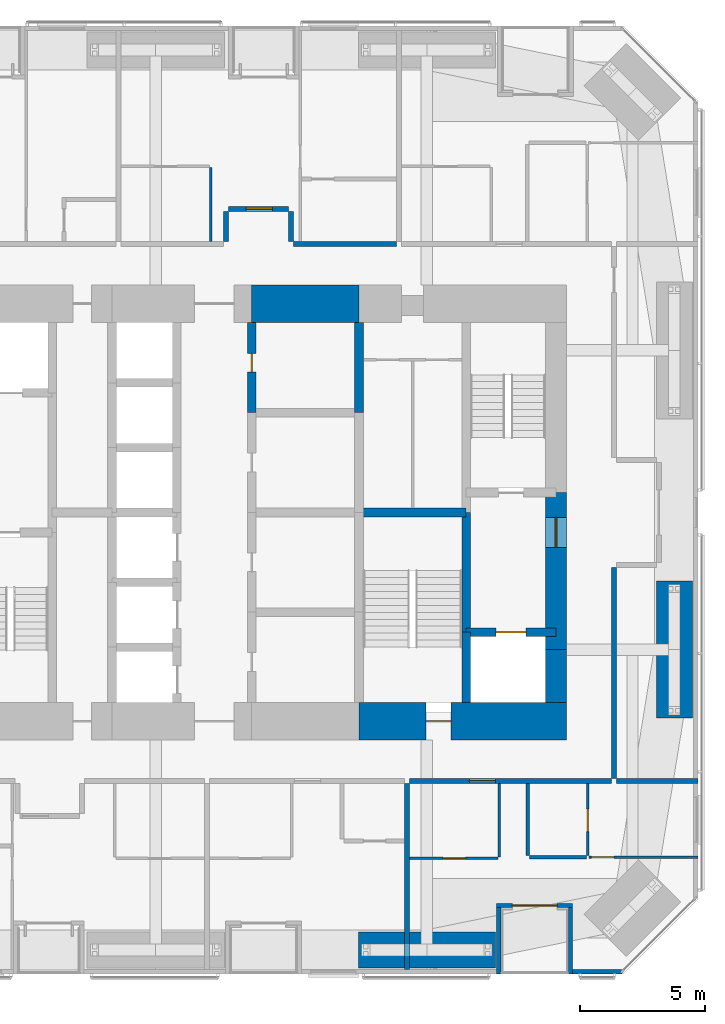
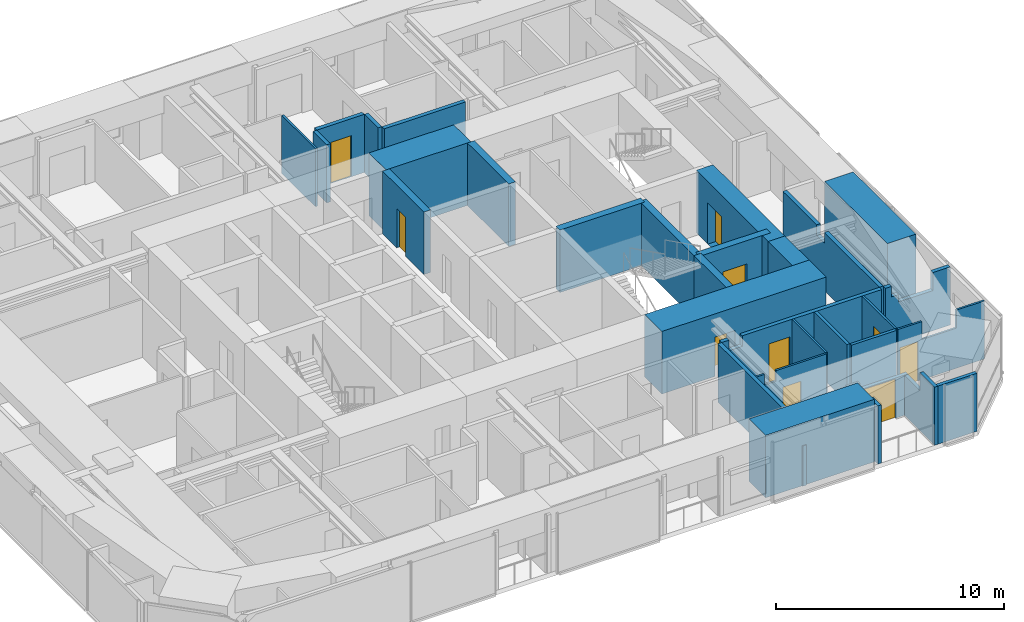
# One storey, part 20 of 24: 32 walls, 10 doors, 10 openings.
"""IFC4 building model written with IfcOpenShell, lengths in metres."""

from ifc_helpers import new_model, si_unit, direction, frame, frame_2d, origin, place, context, subcontext, project, spatial, polyline, rectangle, outline, extrude, material, layer, layer_set, constituent, constituent_set, type_object, element, fill, save


model = new_model("IFC4")

# Units and contexts
model_context = context("Model", 3, precision=1e-05, world=origin(), true_north=direction((0.0, 1.0)))
body_context = subcontext(model_context, "Body", "Model", "MODEL_VIEW")
ifc_project = project(units=[si_unit("LENGTHUNIT", "METRE"), si_unit("AREAUNIT", "SQUARE_METRE"), si_unit("VOLUMEUNIT", "CUBIC_METRE"), si_unit("PLANEANGLEUNIT", "RADIAN"), si_unit("MASSUNIT", "GRAM", prefix="KILO")], contexts=[model_context])

# Site, building, storey
site_placement = place(None, origin())
site = spatial("IfcSite", under=ifc_project, at=site_placement, CompositionType="ELEMENT")
building_placement = place(site_placement, origin())
building = spatial("IfcBuilding", under=site, at=building_placement, Name="Jalousie Tower", CompositionType="ELEMENT")
storey_placement = place(building_placement, frame((0.0, 0.0, 91.449951171875)))
storey = spatial("IfcBuildingStorey", under=building, at=storey_placement, Name="L24", CompositionType="ELEMENT", Elevation=91.449951171875)

# Walls
ifc_material_1 = material(Name="Concrete block ASTM C90", Category="concrete")
ifc_constituent_1 = constituent(ifc_material_1, Name="Body")
ifc_material_2 = material(Name="Render")
ifc_constituent_2 = constituent(ifc_material_2, Name="Finish")
ifc_constituent_set_1 = constituent_set(constituents=[ifc_constituent_1, ifc_constituent_2])
wall_type_1 = type_object("IfcWallType", Name="BATHROOM WALL 150", PredefinedType="PLUMBINGWALL", material=ifc_constituent_set_1)
wall_1_placement = place(storey_placement, frame((42.75, 4.67578125, 0.0), z_axis=(0.0, 0.0, 1.0), x_axis=(1.0, 0.0, 0.0)))
element("IfcWall", 1, at=wall_1_placement, inside=storey, type_object=wall_type_1, Name="Bathroom Wall 150 L24", PredefinedType="PLUMBINGWALL", context=body_context, shape_type="SweptSolid", body=[
    extrude(rectangle(XDim=2.27490234375, YDim=0.14990234375, at=frame_2d((1.137451171875, 0.0))), origin(), (0.0, 0.0, 1.0), 3.110107421875),
])
wall_2_placement = place(storey_placement, frame((42.675048828125, 4.7509765625, 0.0), z_axis=(0.0, 0.0, 1.0), x_axis=(0.0, 1.0, 0.0)))
element("IfcWall", 2, at=wall_2_placement, inside=storey, type_object=wall_type_1, Name="Bathroom Wall 150 L24", PredefinedType="PLUMBINGWALL", context=body_context, shape_type="SweptSolid", body=[
    extrude(rectangle(XDim=2.8740234375, YDim=0.14990234375, at=frame_2d((1.43701171875, 0.0))), origin(), (0.0, 0.0, 1.0), 3.110107421875),
])

# Wall, opening, door
ifc_material_3 = material(Name="Concrete f'c 120 MPa", Category="concrete")
ifc_layer_1 = layer(ifc_material_3, 1.5)
ifc_layer_set_1 = layer_set([ifc_layer_1], Name="Concrete f'c 120 MPa")
wall_type_2 = type_object("IfcWallType", Name="CORE WALL 1500", PredefinedType="SHEAR", material=ifc_layer_set_1)
wall_3_placement = place(storey_placement, frame((35.89990234375, 10.125, 0.0), z_axis=(0.0, 0.0, 1.0), x_axis=(1.0, 0.0, 0.0)))
wall_3 = element("IfcWall", 3, at=wall_3_placement, inside=storey, type_object=wall_type_2, Name="Core wall SD L24", PredefinedType="SHEAR", context=body_context, shape_type="SweptSolid", body=[
    extrude(rectangle(XDim=8.3251953125, YDim=1.5, at=frame_2d((4.16259765625, 0.0))), origin(), (0.0, 0.0, 1.0), 3.35009765625),
])
opening_1_placement = place(wall_3_placement, frame((2.699951171875, 0.0, 0.0)))
opening_1 = element("IfcOpeningElement", 4, at=opening_1_placement, cuts=wall_3, Name="Opening D10", PredefinedType="OPENING", context=body_context, shape_type="SweptSolid", body=[
    extrude(rectangle(XDim=1.0, YDim=2.10009765625, at=frame_2d((0.5, 1.050048828125))), frame((0.0, 0.760009765625, 0.0), z_axis=(0.0, -1.0, 0.0), x_axis=(1.0, 0.0, 0.0)), (0.0, 0.0, 1.0), 1.52001953125),
])
ifc_material_4 = material(Name="Steel fire door", Category="steel")
door_type_1 = type_object("IfcDoorType", Name="STAIR DOOR 1000", OperationType="SINGLE_SWING_LEFT", PredefinedType="DOOR", material=ifc_material_4)
door_1_placement = place(opening_1_placement, origin())
door_1 = element("IfcDoor", 5, at=door_1_placement, inside=storey, type_object=door_type_1, Name="Exit stair C door", OperationType="SINGLE_SWING_RIGHT", OverallHeight=2.10009765625, OverallWidth=1.0, PredefinedType="DOOR", context=body_context, shape_type="SweptSolid", body=[
    extrude(rectangle(XDim=1.0, YDim=2.10009765625, at=frame_2d((0.5, 1.050048828125))), frame((0.0, 0.02490234375, 0.0), z_axis=(0.0, -1.0, 0.0), x_axis=(1.0, 0.0, 0.0)), (0.0, 0.0, 1.0), 0.050048828125),
])
fill(opening_1, door_1)

# Wall
wall_4_placement = place(storey_placement, frame((35.89990234375, 26.875, 0.0), z_axis=(0.0, 0.0, 1.0), x_axis=(-1.0, 0.0, 0.0)))
element("IfcWall", 6, at=wall_4_placement, inside=storey, type_object=wall_type_2, Name="Core wall NB L24", PredefinedType="SHEAR", context=body_context, shape_type="SweptSolid", body=[
    extrude(rectangle(XDim=4.2998046875, YDim=1.5, at=frame_2d((2.14990234375, 0.0))), origin(), (0.0, 0.0, 1.0), 3.35009765625),
])

# Wall, opening, door
ifc_material_5 = material(Name="Concrete f'c 120 MPa", Category="concrete")
ifc_layer_2 = layer(ifc_material_5, 0.35009765625)
ifc_layer_set_2 = layer_set([ifc_layer_2], Name="Concrete f'c 120 MPa")
wall_type_3 = type_object("IfcWallType", Name="CORE WALL 350", PredefinedType="SHEAR", material=ifc_layer_set_2)
wall_5_placement = place(storey_placement, frame((31.60009765625, 22.5, 0.0), z_axis=(0.0, 0.0, 1.0), x_axis=(0.0, 1.0, 0.0)))
wall_5 = element("IfcWall", 7, at=wall_5_placement, inside=storey, type_object=wall_type_3, Name="Core wall X31.6D L24", PredefinedType="SHEAR", context=body_context, shape_type="SweptSolid", body=[
    extrude(rectangle(XDim=3.625, YDim=0.35009765625, at=frame_2d((1.8125, 0.0))), origin(), (0.0, 0.0, 1.0), 3.35009765625),
])
opening_2_placement = place(wall_5_placement, frame((1.625, 0.0, 0.0)))
opening_2 = element("IfcOpeningElement", 8, at=opening_2_placement, cuts=wall_5, Name="Opening D16", PredefinedType="OPENING", context=body_context, shape_type="SweptSolid", body=[
    extrude(rectangle(XDim=0.75, YDim=2.10009765625, at=frame_2d((0.375, 1.050048828125))), frame((0.0, 0.18505859375, 0.0), z_axis=(0.0, -1.0, 0.0), x_axis=(1.0, 0.0, 0.0)), (0.0, 0.0, 1.0), 0.3701171875),
])
ifc_material_6 = material(Name="Steel fire door", Category="steel")
door_type_2 = type_object("IfcDoorType", Name="RISER DOOR 750", OperationType="SINGLE_SWING_LEFT", PredefinedType="DOOR", material=ifc_material_6)
door_2_placement = place(opening_2_placement, frame((0.75, 0.0, 0.0), z_axis=(0.0, 0.0, 1.0), x_axis=(-1.0, 0.0, 0.0)))
door_2 = element("IfcDoor", 9, at=door_2_placement, inside=storey, type_object=door_type_2, Name="Water Services Room door", OperationType="SINGLE_SWING_LEFT", OverallHeight=2.10009765625, OverallWidth=0.75, PredefinedType="DOOR", context=body_context, shape_type="SweptSolid", body=[
    extrude(rectangle(XDim=0.75, YDim=2.10009765625, at=frame_2d((0.375, 1.050048828125))), frame((0.0, 0.02490234375, 0.0), z_axis=(0.0, -1.0, 0.0), x_axis=(1.0, 0.0, 0.0)), (0.0, 0.0, 1.0), 0.050048828125),
])
fill(opening_2, door_2)

# Walls
wall_6_placement = place(storey_placement, frame((35.89990234375, 22.5, 0.0), z_axis=(0.0, 0.0, 1.0), x_axis=(0.0, 1.0, 0.0)))
element("IfcWall", 10, at=wall_6_placement, inside=storey, type_object=wall_type_3, Name="Core wall X35.9D L24", PredefinedType="SHEAR", context=body_context, shape_type="SweptSolid", body=[
    extrude(rectangle(XDim=3.625, YDim=0.35009765625, at=frame_2d((1.8125, 0.0))), origin(), (0.0, 0.0, 1.0), 3.35009765625),
])
wall_7_placement = place(storey_placement, frame((40.199951171875, 10.875, 0.0), z_axis=(0.0, 0.0, 1.0), x_axis=(0.0, 1.0, 0.0)))
element("IfcWall", 11, at=wall_7_placement, inside=storey, type_object=wall_type_3, Name="Core wall X40.2A L24", PredefinedType="SHEAR", context=body_context, shape_type="SweptSolid", body=[
    extrude(rectangle(XDim=2.824951171875, YDim=0.35009765625, at=frame_2d((1.41259765625, 0.0))), origin(), (0.0, 0.0, 1.0), 3.35009765625),
])
wall_8_placement = place(storey_placement, frame((40.199951171875, 13.699951171875, 0.0), z_axis=(0.0, 0.0, 1.0), x_axis=(0.0, 1.0, 0.0)))
element("IfcWall", 12, at=wall_8_placement, inside=storey, type_object=wall_type_3, Name="Core wall X40.2B L24", PredefinedType="SHEAR", context=body_context, shape_type="SweptSolid", body=[
    extrude(rectangle(XDim=4.800048828125, YDim=0.35009765625, at=frame_2d((2.39990234375, 0.0))), origin(), (0.0, 0.0, 1.0), 3.35009765625),
])
wall_9_placement = place(storey_placement, frame((35.89990234375, 18.5, 0.0), z_axis=(0.0, 0.0, 1.0), x_axis=(1.0, 0.0, 0.0)))
element("IfcWall", 13, at=wall_9_placement, inside=storey, type_object=wall_type_3, Name="Core wall Y35.9-18.5 L24", PredefinedType="SHEAR", context=body_context, shape_type="SweptSolid", body=[
    extrude(rectangle(XDim=4.300048828125, YDim=0.35009765625, at=frame_2d((2.14990234375, 0.0))), origin(), (0.0, 0.0, 1.0), 3.35009765625),
])

# Wall, opening, door
wall_10_placement = place(storey_placement, frame((40.199951171875, 13.699951171875, 0.0), z_axis=(0.0, 0.0, 1.0), x_axis=(1.0, 0.0, 0.0)))
wall_10 = element("IfcWall", 14, at=wall_10_placement, inside=storey, type_object=wall_type_3, Name="Core wall Y40.2-13.7 L24", PredefinedType="SHEAR", context=body_context, shape_type="SweptSolid", body=[
    extrude(rectangle(XDim=3.60009765625, YDim=0.35009765625, at=frame_2d((1.800048828125, 0.0))), origin(), (0.0, 0.0, 1.0), 3.35009765625),
])
opening_3_placement = place(wall_10_placement, frame((1.199951171875, 0.0, 0.0)))
opening_3 = element("IfcOpeningElement", 15, at=opening_3_placement, cuts=wall_10, Name="Opening LD2", PredefinedType="OPENING", context=body_context, shape_type="SweptSolid", body=[
    extrude(rectangle(XDim=1.199951171875, YDim=2.10009765625, at=frame_2d((0.60009765625, 1.050048828125))), frame((0.0, 0.18505859375, 0.0), z_axis=(0.0, -1.0, 0.0), x_axis=(1.0, 0.0, 0.0)), (0.0, 0.0, 1.0), 0.3701171875),
])
ifc_material_7 = material(Name="Steel lift landing door", Category="steel")
door_type_3 = type_object("IfcDoorType", Name="LIFT LANDING DOOR 1200", OperationType="SLIDING_TO_LEFT", PredefinedType="DOOR", material=ifc_material_7)
door_3_placement = place(opening_3_placement, origin())
door_3 = element("IfcDoor", 16, at=door_3_placement, inside=storey, type_object=door_type_3, Name="Lift F2 landing door", OperationType="SLIDING_TO_LEFT", OverallHeight=2.10009765625, OverallWidth=1.199951171875, PredefinedType="DOOR", context=body_context, shape_type="SweptSolid", body=[
    extrude(rectangle(XDim=1.199951171875, YDim=2.10009765625, at=frame_2d((0.60009765625, 1.050048828125))), frame((0.0, 0.02490234375, 0.0), z_axis=(0.0, -1.0, 0.0), x_axis=(1.0, 0.0, 0.0)), (0.0, 0.0, 1.0), 0.050048828125),
])
fill(opening_3, door_3)

# Wall
ifc_material_8 = material(Name="Concrete f'c 120 MPa", Category="concrete")
ifc_layer_3 = layer(ifc_material_8, 0.85009765625)
ifc_layer_set_3 = layer_set([ifc_layer_3], Name="Concrete f'c 120 MPa")
wall_type_4 = type_object("IfcWallType", Name="CORE WALL 850", PredefinedType="SHEAR", material=ifc_layer_set_3)
wall_11_placement = place(storey_placement, frame((43.800048828125, 10.875, 0.0), z_axis=(0.0, 0.0, 1.0), x_axis=(0.0, 1.0, 0.0)))
element("IfcWall", 17, at=wall_11_placement, inside=storey, type_object=wall_type_4, Name="Core wall EA L24", PredefinedType="SHEAR", context=body_context, shape_type="SweptSolid", body=[
    extrude(rectangle(XDim=2.125, YDim=0.85009765625, at=frame_2d((1.0625, 0.0))), origin(), (0.0, 0.0, 1.0), 3.35009765625),
])

# Wall, opening, door
wall_12_placement = place(storey_placement, frame((43.800048828125, 13.0, 0.0), z_axis=(0.0, 0.0, 1.0), x_axis=(0.0, 1.0, 0.0)))
wall_12 = element("IfcWall", 18, at=wall_12_placement, inside=storey, type_object=wall_type_4, Name="Core wall EB L24", PredefinedType="SHEAR", context=body_context, shape_type="SweptSolid", body=[
    extrude(rectangle(XDim=6.300048828125, YDim=0.85009765625, at=frame_2d((3.14990234375, 0.0))), origin(), (0.0, 0.0, 1.0), 3.35009765625),
])
opening_4_placement = place(wall_12_placement, frame((4.10009765625, 0.0, 0.0)))
opening_4 = element("IfcOpeningElement", 19, at=opening_4_placement, cuts=wall_12, Name="Opening D11", PredefinedType="OPENING", context=body_context, shape_type="SweptSolid", body=[
    extrude(rectangle(XDim=1.199951171875, YDim=2.199951171875, at=frame_2d((0.60009765625, 1.10009765625))), frame((0.0, 0.43505859375, 0.0), z_axis=(0.0, -1.0, 0.0), x_axis=(1.0, 0.0, 0.0)), (0.0, 0.0, 1.0), 0.8701171875),
])
ifc_material_9 = material(Name="Steel fire door", Category="steel")
door_type_4 = type_object("IfcDoorType", Name="FIRE DOOR 1200", OperationType="SINGLE_SWING_LEFT", PredefinedType="DOOR", material=ifc_material_9)
door_4_placement = place(opening_4_placement, origin())
door_4 = element("IfcDoor", 20, at=door_4_placement, inside=storey, type_object=door_type_4, Name="Fire-fighting lobby B door", OperationType="SINGLE_SWING_RIGHT", OverallHeight=2.199951171875, OverallWidth=1.199951171875, PredefinedType="DOOR", context=body_context, shape_type="SweptSolid", body=[
    extrude(rectangle(XDim=1.199951171875, YDim=2.199951171875, at=frame_2d((0.60009765625, 1.10009765625))), frame((0.0, 0.02490234375, 0.0), z_axis=(0.0, -1.0, 0.0), x_axis=(1.0, 0.0, 0.0)), (0.0, 0.0, 1.0), 0.050048828125),
])
fill(opening_4, door_4)

ifc_material_10 = material(Name="Concrete block ASTM C90", Category="concrete")
ifc_constituent_3 = constituent(ifc_material_10, Name="Body")
ifc_material_11 = material(Name="Render")
ifc_constituent_4 = constituent(ifc_material_11, Name="Finish")
ifc_constituent_set_2 = constituent_set(constituents=[ifc_constituent_3, ifc_constituent_4])
wall_type_5 = type_object("IfcWallType", Name="CORRIDOR WALL 200", PredefinedType="PARTITIONING", material=ifc_constituent_set_2)
wall_13_placement = place(storey_placement, frame((37.925048828125, 7.72509765625, 0.0), z_axis=(0.0, 0.0, 1.0), x_axis=(1.0, 0.0, 0.0)))
wall_13 = element("IfcWall", 21, at=wall_13_placement, inside=storey, type_object=wall_type_5, Name="Corridor Wall 200 L24", PredefinedType="PARTITIONING", context=body_context, shape_type="SweptSolid", body=[
    extrude(outline(polyline([(0.0, 0.0), (8.099853515625, 0.0), (8.10009765625, 3.110107421875), (1.037353515625, 3.110107421875), (1.037353515625, 2.541015625), (0.362548828125, 2.541015625), (0.362548828125, 3.110107421875), (0.0, 3.110107421875), (0.0, 0.0)])), frame((0.0, 0.10009765625, 0.0), z_axis=(0.0, -1.0, 0.0), x_axis=(1.0, 0.0, 0.0)), (0.0, 0.0, 1.0), 0.199951171875),
])
opening_5_placement = place(wall_13_placement, frame((2.39990234375, 0.0, 0.0)))
opening_5 = element("IfcOpeningElement", 22, at=opening_5_placement, cuts=wall_13, Name="Opening D1", PredefinedType="OPENING", context=body_context, shape_type="SweptSolid", body=[
    extrude(rectangle(XDim=1.050048828125, YDim=2.199951171875, at=frame_2d((0.52490234375, 1.10009765625))), frame((0.0, 0.10986328125, 0.0), z_axis=(0.0, -1.0, 0.0), x_axis=(1.0, 0.0, 0.0)), (0.0, 0.0, 1.0), 0.219970703125),
])
ifc_material_12 = material(Name="Timber fire door", Category="wood")
door_type_5 = type_object("IfcDoorType", Name="APARTMENT ENTRANCE DOOR 1050", OperationType="SINGLE_SWING_LEFT", PredefinedType="DOOR", material=ifc_material_12)
door_5_placement = place(opening_5_placement, frame((1.050048828125, 0.0, 0.0), z_axis=(0.0, 0.0, 1.0), x_axis=(-1.0, 0.0, 0.0)))
door_5 = element("IfcDoor", 23, at=door_5_placement, inside=storey, type_object=door_type_5, Name="Apartment 2403 entrance", OperationType="SINGLE_SWING_LEFT", OverallHeight=2.199951171875, OverallWidth=1.050048828125, PredefinedType="DOOR", context=body_context, shape_type="SweptSolid", body=[
    extrude(rectangle(XDim=1.050048828125, YDim=2.199951171875, at=frame_2d((0.52490234375, 1.10009765625))), frame((0.0, 0.02490234375, 0.0), z_axis=(0.0, -1.0, 0.0), x_axis=(1.0, 0.0, 0.0)), (0.0, 0.0, 1.0), 0.050048828125),
])
fill(opening_5, door_5)

# Walls
wall_14_placement = place(storey_placement, frame((46.125, 7.824951171875, 0.0), z_axis=(0.0, 0.0, 1.0), x_axis=(0.0, 1.0, 0.0)))
element("IfcWall", 24, at=wall_14_placement, inside=storey, type_object=wall_type_5, Name="Corridor Wall 200 L24", PredefinedType="PARTITIONING", context=body_context, shape_type="SweptSolid", body=[
    extrude(outline(polyline([(0.0, 0.0), (8.47509765625, 0.0), (8.47509765625, 3.110107421875), (5.51220703125, 3.110107421875), (5.51220703125, 2.541015625), (4.837646484375, 2.541015625), (4.837646484375, 3.110107421875), (0.0, 3.110107421875), (0.0, 0.0)])), frame((0.0, 0.10009765625, 0.0), z_axis=(0.0, -1.0, 0.0), x_axis=(1.0, 0.0, 0.0)), (0.0, 0.0, 1.0), 0.199951171875),
])
wall_15_placement = place(storey_placement, frame((33.27490234375, 29.27490234375, 0.0), z_axis=(0.0, 0.0, 1.0), x_axis=(1.0, 0.0, 0.0)))
element("IfcWall", 25, at=wall_15_placement, inside=storey, type_object=wall_type_5, Name="Corridor Wall 200 L24", PredefinedType="PARTITIONING", context=body_context, shape_type="SweptSolid", body=[
    extrude(rectangle(XDim=4.125, YDim=0.199951171875, at=frame_2d((2.0625, 0.0))), origin(), (0.0, 0.0, 1.0), 3.110107421875),
])

# Wall, opening, door
wall_16_placement = place(storey_placement, frame((30.675048828125, 30.675048828125, 0.0), z_axis=(0.0, 0.0, 1.0), x_axis=(1.0, 0.0, 0.0)))
wall_16 = element("IfcWall", 26, at=wall_16_placement, inside=storey, type_object=wall_type_5, Name="Corridor Wall 200 L24", PredefinedType="PARTITIONING", context=body_context, shape_type="SweptSolid", body=[
    extrude(rectangle(XDim=2.39990234375, YDim=0.199951171875, at=frame_2d((1.199951171875, 0.0))), origin(), (0.0, 0.0, 1.0), 3.110107421875),
])
opening_6_placement = place(wall_16_placement, frame((0.699951171875, 0.0, 0.0)))
opening_6 = element("IfcOpeningElement", 27, at=opening_6_placement, cuts=wall_16, Name="Opening D1", PredefinedType="OPENING", context=body_context, shape_type="SweptSolid", body=[
    extrude(rectangle(XDim=1.050048828125, YDim=2.199951171875, at=frame_2d((0.52490234375, 1.10009765625))), frame((0.0, 0.10986328125, 0.0), z_axis=(0.0, -1.0, 0.0), x_axis=(1.0, 0.0, 0.0)), (0.0, 0.0, 1.0), 0.219970703125),
])
door_6_placement = place(opening_6_placement, origin())
door_6 = element("IfcDoor", 28, at=door_6_placement, inside=storey, type_object=door_type_5, Name="Apartment 2405 entrance", OperationType="SINGLE_SWING_RIGHT", OverallHeight=2.199951171875, OverallWidth=1.050048828125, PredefinedType="DOOR", context=body_context, shape_type="SweptSolid", body=[
    extrude(rectangle(XDim=1.050048828125, YDim=2.199951171875, at=frame_2d((0.52490234375, 1.10009765625))), frame((0.0, 0.02490234375, 0.0), z_axis=(0.0, -1.0, 0.0), x_axis=(1.0, 0.0, 0.0)), (0.0, 0.0, 1.0), 0.050048828125),
])
fill(opening_6, door_6)

# Walls
for number, where, z_axis, x_axis, name in (
    (29, (30.574951171875, 29.375, 0.0), (0.0, 0.0, 1.0), (0.0, 1.0, 0.0), "Corridor Wall 200 L24"),
    (30, (33.175048828125, 29.375, 0.0), (0.0, 0.0, 1.0), (0.0, 1.0, 0.0), "Corridor Wall 200 L24"),
):
    element("IfcWall", number, at=place(storey_placement, frame(where, z_axis=z_axis, x_axis=x_axis)), inside=storey, type_object=wall_type_5, Name=name, PredefinedType="PARTITIONING", context=body_context, shape_type="SweptSolid", body=[
        extrude(rectangle(XDim=1.199951171875, YDim=0.199951171875, at=frame_2d((0.60009765625, 0.0))), origin(), (0.0, 0.0, 1.0), 3.110107421875),
    ])
ifc_material_13 = material(Name="Concrete f'c 40 MPa", Category="concrete")
ifc_constituent_5 = constituent(ifc_material_13, Name="Body")
ifc_material_14 = material(Name="Render, pastel sea green")
ifc_constituent_6 = constituent(ifc_material_14, Name="Finish")
ifc_constituent_set_3 = constituent_set(constituents=[ifc_constituent_5, ifc_constituent_6])
wall_type_6 = type_object("IfcWallType", Name="EXTERNAL WALL 175 SEA GREEN RENDER", PredefinedType="SOLIDWALL", material=ifc_constituent_set_3)
wall_17_placement = place(storey_placement, frame((44.47509765625, 0.08740234375, 0.0), z_axis=(0.0, 0.0, 1.0), x_axis=(1.0, 0.0, 0.0)))
element("IfcWall", 31, at=wall_17_placement, inside=storey, type_object=wall_type_6, Name="External Wall 175 Sea Green Render L24", PredefinedType="SOLIDWALL", context=body_context, shape_type="SweptSolid", body=[
    extrude(rectangle(XDim=1.9736328125, YDim=0.175048828125, at=frame_2d((0.98681640625, 0.0))), origin(), (0.0, 0.0, 1.0), 3.110107421875),
])
wall_18_placement = place(storey_placement, frame((41.425048828125, 2.737548828125, 0.0), z_axis=(0.0, 0.0, 1.0), x_axis=(1.0, 0.0, 0.0)))
element("IfcWall", 32, at=wall_18_placement, inside=storey, type_object=wall_type_6, Name="External Wall 175 Sea Green Render L24-A", PredefinedType="SOLIDWALL", context=body_context, shape_type="SweptSolid", body=[
    extrude(rectangle(XDim=0.625, YDim=0.175048828125, at=frame_2d((0.3125, 0.0))), origin(), (0.0, 0.0, 1.0), 2.510009765625),
])

# Wall, opening, door
wall_19_placement = place(storey_placement, frame((42.050048828125, 2.737548828125, 0.0), z_axis=(0.0, 0.0, 1.0), x_axis=(1.0, 0.0, 0.0)))
wall_19 = element("IfcWall", 33, at=wall_19_placement, inside=storey, type_object=wall_type_6, Name="External Wall 175 Sea Green Render L24-B", PredefinedType="SOLIDWALL", context=body_context, shape_type="SweptSolid", body=[
    extrude(rectangle(XDim=2.425048828125, YDim=0.175048828125, at=frame_2d((1.21240234375, 0.0))), origin(), (0.0, 0.0, 1.0), 2.150146484375),
])
opening_7_placement = place(wall_19_placement, origin())
opening_7 = element("IfcOpeningElement", 34, at=opening_7_placement, cuts=wall_19, Name="Opening D-BAL21", PredefinedType="OPENING", context=body_context, shape_type="SweptSolid", body=[
    extrude(rectangle(XDim=1.800048828125, YDim=2.10009765625, at=frame_2d((0.89990234375, 1.050048828125))), frame((0.0, 0.097412109375, 0.0), z_axis=(0.0, -1.0, 0.0), x_axis=(1.0, 0.0, 0.0)), (0.0, 0.0, 1.0), 0.195068359375),
])
ifc_material_15 = material(Name="Aluminium frame, impact-rated glazing", Category="aluminium")
door_type_6 = type_object("IfcDoorType", Name="BALCONY DOOR 1800x2100", OperationType="SLIDING_TO_LEFT", PredefinedType="DOOR", material=ifc_material_15)
door_7_placement = place(opening_7_placement, origin())
door_7 = element("IfcDoor", 35, at=door_7_placement, inside=storey, type_object=door_type_6, Name="Apartment 2403 living and dining room loggia door", OperationType="SLIDING_TO_LEFT", OverallHeight=2.10009765625, OverallWidth=1.800048828125, PredefinedType="DOOR", context=body_context, shape_type="SweptSolid", body=[
    extrude(rectangle(XDim=1.800048828125, YDim=2.10009765625, at=frame_2d((0.89990234375, 1.050048828125))), frame((0.0, 0.02490234375, 0.0), z_axis=(0.0, -1.0, 0.0), x_axis=(1.0, 0.0, 0.0)), (0.0, 0.0, 1.0), 0.050048828125),
])
fill(opening_7, door_7)

# Walls
wall_20_placement = place(storey_placement, frame((41.512451171875, 0.0, 0.0), z_axis=(0.0, 0.0, 1.0), x_axis=(0.0, 1.0, 0.0)))
element("IfcWall", 36, at=wall_20_placement, inside=storey, type_object=wall_type_6, Name="External Wall 175 Sea Green Render L24", PredefinedType="SOLIDWALL", context=body_context, shape_type="SweptSolid", body=[
    extrude(outline(polyline([(0.0, 0.0), (2.64990234375, 0.0), (2.64990234375, 2.510009765625), (2.373291015625, 2.510009765625), (2.373291015625, 2.150146484375), (0.70458984375, 2.150146484375), (0.70458984375, 3.110107421875), (0.0, 3.110107421875), (0.0, 0.0)])), frame((0.0, 0.08740234375, 0.0), z_axis=(0.0, -1.0, 0.0), x_axis=(1.0, 0.0, 0.0)), (0.0, 0.0, 1.0), 0.175048828125),
])
wall_21_placement = place(storey_placement, frame((44.387451171875, 0.0, 0.0), z_axis=(0.0, 0.0, 1.0), x_axis=(0.0, 1.0, 0.0)))
element("IfcWall", 37, at=wall_21_placement, inside=storey, type_object=wall_type_6, Name="External Wall 175 Sea Green Render L24", PredefinedType="SOLIDWALL", context=body_context, shape_type="SweptSolid", body=[
    extrude(outline(polyline([(0.0, 0.0), (2.64990234375, 0.0), (2.64990234375, 2.150146484375), (1.291015625, 2.150146484375), (1.291015625, 3.110107421875), (0.0, 3.110107421875), (0.0, 0.0)])), frame((0.0, 0.08740234375, 0.0), z_axis=(0.0, -1.0, 0.0), x_axis=(1.0, 0.0, 0.0)), (0.0, 0.0, 1.0), 0.175048828125),
])

# Wall, opening, door
ifc_material_16 = material(Name="Gypsum board", Category="gypsum")
ifc_constituent_7 = constituent(ifc_material_16, Name="Body")
ifc_material_17 = material(Name="Light-gauge steel studs ASTM A653 SS Grade 33", Category="steel")
ifc_constituent_8 = constituent(ifc_material_17, Name="Framing")
ifc_constituent_set_4 = constituent_set(constituents=[ifc_constituent_7, ifc_constituent_8])
wall_type_7 = type_object("IfcWallType", Name="PARTITION 100", PredefinedType="PARTITIONING", material=ifc_constituent_set_4)
wall_22_placement = place(storey_placement, frame((45.074951171875, 4.7509765625, 0.0), z_axis=(0.0, 0.0, 1.0), x_axis=(0.0, 1.0, 0.0)))
wall_22 = element("IfcWall", 38, at=wall_22_placement, inside=storey, type_object=wall_type_7, Name="Partition 100 L24", PredefinedType="PARTITIONING", context=body_context, shape_type="SweptSolid", body=[
    extrude(rectangle(XDim=2.8740234375, YDim=0.10009765625, at=frame_2d((1.43701171875, 0.0))), origin(), (0.0, 0.0, 1.0), 3.110107421875),
])
opening_8_placement = place(wall_22_placement, frame((0.949462890625, 0.0, 0.0)))
opening_8 = element("IfcOpeningElement", 39, at=opening_8_placement, cuts=wall_22, Name="Opening D3", PredefinedType="OPENING", context=body_context, shape_type="SweptSolid", body=[
    extrude(rectangle(XDim=0.89990234375, YDim=2.10009765625, at=frame_2d((0.449951171875, 1.050048828125))), frame((0.0, 0.06005859375, 0.0), z_axis=(0.0, -1.0, 0.0), x_axis=(1.0, 0.0, 0.0)), (0.0, 0.0, 1.0), 0.1201171875),
])
ifc_material_18 = material(Name="Timber door", Category="wood")
door_type_7 = type_object("IfcDoorType", Name="BATHROOM DOOR 900", OperationType="SINGLE_SWING_LEFT", PredefinedType="DOOR", material=ifc_material_18)
door_8_placement = place(opening_8_placement, origin())
door_8 = element("IfcDoor", 40, at=door_8_placement, inside=storey, type_object=door_type_7, Name="Apartment 2403 bedroom 1 bathroom door", OperationType="SINGLE_SWING_LEFT", OverallHeight=2.10009765625, OverallWidth=0.89990234375, PredefinedType="DOOR", context=body_context, shape_type="SweptSolid", body=[
    extrude(rectangle(XDim=0.89990234375, YDim=2.10009765625, at=frame_2d((0.449951171875, 1.050048828125))), frame((0.0, 0.02490234375, 0.0), z_axis=(0.0, -1.0, 0.0), x_axis=(1.0, 0.0, 0.0)), (0.0, 0.0, 1.0), 0.050048828125),
])
fill(opening_8, door_8)

wall_23_placement = place(storey_placement, frame((45.125, 4.67578125, 0.0), z_axis=(0.0, 0.0, 1.0), x_axis=(1.0, 0.0, 0.0)))
wall_23 = element("IfcWall", 41, at=wall_23_placement, inside=storey, type_object=wall_type_7, Name="Partition 100 L24", PredefinedType="PARTITIONING", context=body_context, shape_type="SweptSolid", body=[
    extrude(outline(polyline([(0.0, 0.0), (4.375, 0.0), (4.375, 3.110107421875), (2.9462890625, 3.110107421875), (2.9462890625, 2.150146484375), (1.203857421875, 2.150146484375), (1.203857421875, 3.110107421875), (0.0, 3.110107421875), (0.0, 0.0)])), frame((0.0, 0.050048828125, 0.0), z_axis=(0.0, -1.0, 0.0), x_axis=(1.0, 0.0, 0.0)), (0.0, 0.0, 1.0), 0.10009765625),
])
opening_9_placement = place(wall_23_placement, frame((0.10009765625, 0.0, 0.0)))
opening_9 = element("IfcOpeningElement", 42, at=opening_9_placement, cuts=wall_23, Name="Opening D2", PredefinedType="OPENING", context=body_context, shape_type="SweptSolid", body=[
    extrude(rectangle(XDim=0.89990234375, YDim=2.10009765625, at=frame_2d((0.449951171875, 1.050048828125))), frame((0.0, 0.06005859375, 0.0), z_axis=(0.0, -1.0, 0.0), x_axis=(1.0, 0.0, 0.0)), (0.0, 0.0, 1.0), 0.1201171875),
])
ifc_material_19 = material(Name="Timber door", Category="wood")
door_type_8 = type_object("IfcDoorType", Name="BEDROOM DOOR 900", OperationType="SINGLE_SWING_LEFT", PredefinedType="DOOR", material=ifc_material_19)
door_9_placement = place(opening_9_placement, origin())
door_9 = element("IfcDoor", 43, at=door_9_placement, inside=storey, type_object=door_type_8, Name="Apartment 2403 bedroom 1 door", OperationType="SINGLE_SWING_LEFT", OverallHeight=2.10009765625, OverallWidth=0.89990234375, PredefinedType="DOOR", context=body_context, shape_type="SweptSolid", body=[
    extrude(rectangle(XDim=0.89990234375, YDim=2.10009765625, at=frame_2d((0.449951171875, 1.050048828125))), frame((0.0, 0.02490234375, 0.0), z_axis=(0.0, -1.0, 0.0), x_axis=(1.0, 0.0, 0.0)), (0.0, 0.0, 1.0), 0.050048828125),
])
fill(opening_9, door_9)

wall_24_placement = place(storey_placement, frame((37.925048828125, 4.625, 0.0), z_axis=(0.0, 0.0, 1.0), x_axis=(1.0, 0.0, 0.0)))
wall_24 = element("IfcWall", 44, at=wall_24_placement, inside=storey, type_object=wall_type_7, Name="Partition 100 L24", PredefinedType="PARTITIONING", context=body_context, shape_type="SweptSolid", body=[
    extrude(outline(polyline([(0.0, 0.0), (3.550048828125, 0.0), (3.550048828125, 3.110107421875), (0.9873046875, 3.110107421875), (0.9873046875, 2.541015625), (0.41259765625, 2.541015625), (0.41259765625, 3.110107421875), (0.0, 3.110107421875), (0.0, 0.0)])), frame((0.0, 0.050048828125, 0.0), z_axis=(0.0, -1.0, 0.0), x_axis=(1.0, 0.0, 0.0)), (0.0, 0.0, 1.0), 0.10009765625),
])
opening_10_placement = place(wall_24_placement, frame((1.35009765625, 0.0, 0.0)))
opening_10 = element("IfcOpeningElement", 45, at=opening_10_placement, cuts=wall_24, Name="Opening D7", PredefinedType="OPENING", context=body_context, shape_type="SweptSolid", body=[
    extrude(rectangle(XDim=0.89990234375, YDim=2.10009765625, at=frame_2d((0.449951171875, 1.050048828125))), frame((0.0, 0.06005859375, 0.0), z_axis=(0.0, -1.0, 0.0), x_axis=(1.0, 0.0, 0.0)), (0.0, 0.0, 1.0), 0.1201171875),
])
ifc_material_20 = material(Name="Timber door", Category="wood")
door_type_9 = type_object("IfcDoorType", Name="INTERNAL DOOR 900", OperationType="SINGLE_SWING_LEFT", PredefinedType="DOOR", material=ifc_material_20)
door_10_placement = place(opening_10_placement, frame((0.89990234375, 0.0, 0.0), z_axis=(0.0, 0.0, 1.0), x_axis=(-1.0, 0.0, 0.0)))
door_10 = element("IfcDoor", 46, at=door_10_placement, inside=storey, type_object=door_type_9, Name="Apartment 2403 kitchen door", OperationType="SINGLE_SWING_RIGHT", OverallHeight=2.10009765625, OverallWidth=0.89990234375, PredefinedType="DOOR", context=body_context, shape_type="SweptSolid", body=[
    extrude(rectangle(XDim=0.89990234375, YDim=2.10009765625, at=frame_2d((0.449951171875, 1.050048828125))), frame((0.0, 0.02490234375, 0.0), z_axis=(0.0, -1.0, 0.0), x_axis=(1.0, 0.0, 0.0)), (0.0, 0.0, 1.0), 0.050048828125),
])
fill(opening_10, door_10)

# Walls
for number, where, z_axis, x_axis, name in (
    (47, (41.52490234375, 4.675048828125, 0.0), (0.0, 0.0, 1.0), (0.0, 1.0, 0.0), "Partition 100 L24"),
    (48, (29.949951171875, 32.324951171875, 0.0), (0.0, 0.0, 1.0), (0.0, -1.0, 0.0), "Partition 100 L24"),
):
    element("IfcWall", number, at=place(storey_placement, frame(where, z_axis=z_axis, x_axis=x_axis)), inside=storey, type_object=wall_type_7, Name=name, PredefinedType="PARTITIONING", context=body_context, shape_type="SweptSolid", body=[
        extrude(rectangle(XDim=2.949951171875, YDim=0.10009765625, at=frame_2d((1.47509765625, 0.0))), origin(), (0.0, 0.0, 1.0), 3.110107421875),
    ])
ifc_material_21 = material(Name="Concrete block ASTM C90", Category="concrete")
ifc_constituent_9 = constituent(ifc_material_21, Name="Body")
ifc_material_22 = material(Name="Render")
ifc_constituent_10 = constituent(ifc_material_22, Name="Finish")
ifc_constituent_set_5 = constituent_set(constituents=[ifc_constituent_9, ifc_constituent_10])
wall_type_8 = type_object("IfcWallType", Name="PARTY WALL 200", PredefinedType="PARTITIONING", material=ifc_constituent_set_5)
wall_25_placement = place(storey_placement, frame((37.824951171875, 0.175048828125, 0.0), z_axis=(0.0, 0.0, 1.0), x_axis=(0.0, 1.0, 0.0)))
element("IfcWall", 49, at=wall_25_placement, inside=storey, type_object=wall_type_8, Name="Party Wall 200 L24", PredefinedType="PARTITIONING", context=body_context, shape_type="SweptSolid", body=[
    extrude(outline(polyline([(0.52880859375, 2.150146484375), (0.0, 2.150146484375), (0.0, 0.0), (0.52880859375, 0.0), (0.52880859375, 0.957275390625), (1.021240234375, 0.957275390625), (1.021240234375, 0.0), (7.449951171875, 0.0), (7.449951171875, 3.110107421875), (1.68505859375, 3.110107421875), (1.68505859375, 2.150146484375), (1.021240234375, 2.150146484375), (1.021240234375, 1.19287109375), (0.52880859375, 1.19287109375), (0.52880859375, 2.150146484375)])), frame((0.0, 0.10009765625, 0.0), z_axis=(0.0, -1.0, 0.0), x_axis=(1.0, 0.0, 0.0)), (0.0, 0.0, 1.0), 0.199951171875),
])
wall_26_placement = place(storey_placement, frame((46.22509765625, 7.72509765625, 0.0), z_axis=(0.0, 0.0, 1.0), x_axis=(1.0, 0.0, 0.0)))
element("IfcWall", 50, at=wall_26_placement, inside=storey, type_object=wall_type_8, Name="Party Wall 200 L24", PredefinedType="PARTITIONING", context=body_context, shape_type="SweptSolid", body=[
    extrude(outline(polyline([(0.0, 0.0), (3.27490234375, 0.0), (3.27490234375, 3.110107421875), (2.3916015625, 3.110107421875), (2.3916015625, 2.150146484375), (0.642822265625, 2.150146484375), (0.642822265625, 2.541015625), (0.30615234375, 2.541015625), (0.30615234375, 3.110107421875), (0.0, 3.110107421875), (0.0, 0.0)])), frame((0.0, 0.10009765625, 0.0), z_axis=(0.0, -1.0, 0.0), x_axis=(1.0, 0.0, 0.0)), (0.0, 0.0, 1.0), 0.199951171875),
])
ifc_material_23 = material(Name="Concrete f'c 120 MPa", Category="concrete")
ifc_layer_4 = layer(ifc_material_23, 1.449951171875)
ifc_layer_set_4 = layer_set([ifc_layer_4], Name="Concrete f'c 120 MPa")
wall_type_9 = type_object("IfcWallType", Name="RC WALL PIER 1450", PredefinedType="SHEAR", material=ifc_layer_set_4)
for number, where, z_axis, x_axis, name in (
    (51, (35.875, 0.949951171875, 0.0), (0.0, 0.0, 1.0), (1.0, 0.0, 0.0), "Wall pier 04 L24"),
    (52, (48.550048828125, 10.25, 0.0), (0.0, 0.0, 1.0), (0.0, 1.0, 0.0), "Wall pier 06 L24"),
):
    element("IfcWall", number, at=place(storey_placement, frame(where, z_axis=z_axis, x_axis=x_axis)), inside=storey, type_object=wall_type_9, Name=name, PredefinedType="SHEAR", context=body_context, shape_type="SweptSolid", body=[
        extrude(rectangle(XDim=5.5, YDim=1.449951171875, at=frame_2d((2.75, 0.0))), origin(), (0.0, 0.0, 1.0), 3.35009765625),
    ])

save(model, "model.ifc")
